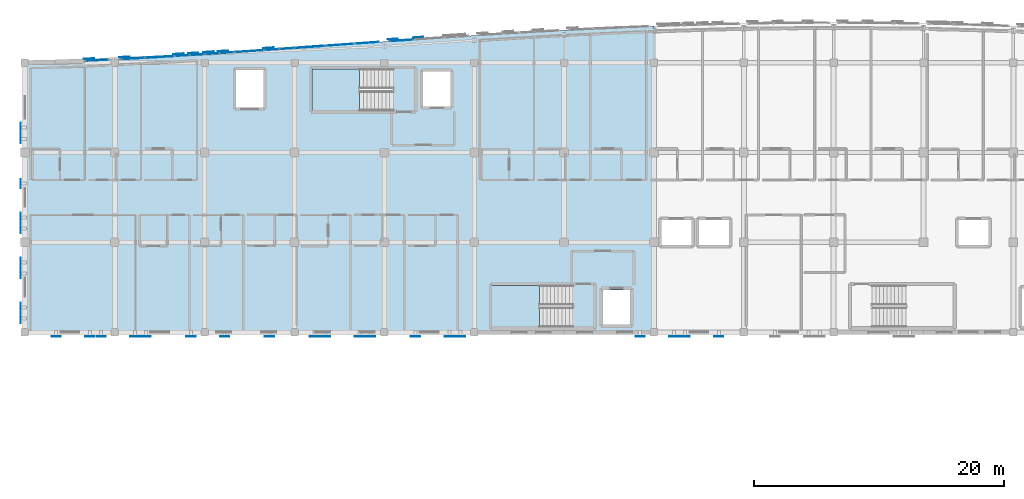
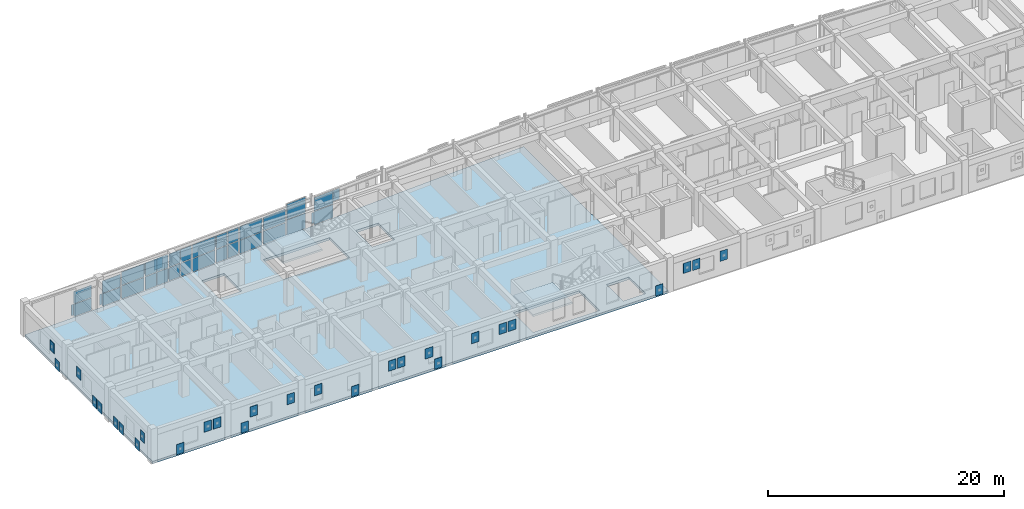
# One storey, part 32 of 50: 65 plates, 3 slabs, 13 elements without a shape of their own.
"""IFC4 building model written with IfcOpenShell, lengths in metres."""

from ifc_helpers import new_model, si_unit, direction, frame, origin, origin_2d, place, context, subcontext, project, spatial, polyline, rectangle, outline, extrude, material, layer, layer_set, type_object, element, aggregate, save


model = new_model("IFC4")

# Units and contexts
model_context = context("Model", 3, precision=1e-05, world=origin(), true_north=direction((0.0, 1.0)))
body_context = subcontext(model_context, "Body", "Model", "MODEL_VIEW")
ifc_project = project(units=[si_unit("LENGTHUNIT", "METRE"), si_unit("AREAUNIT", "SQUARE_METRE"), si_unit("VOLUMEUNIT", "CUBIC_METRE"), si_unit("PLANEANGLEUNIT", "RADIAN"), si_unit("MASSUNIT", "GRAM", prefix="KILO")], contexts=[model_context])

# Site, building, storey
site_placement = place(None, origin())
site = spatial("IfcSite", under=ifc_project, at=site_placement, CompositionType="ELEMENT")
building_placement = place(site_placement, origin())
building = spatial("IfcBuilding", under=site, at=building_placement, Name="Carrowvane Square Congress Hotel", CompositionType="ELEMENT")
storey_placement = place(building_placement, frame((0.0, 0.0, 22.800048828125)))
storey = spatial("IfcBuildingStorey", under=building, at=storey_placement, Name="L05", CompositionType="ELEMENT", Elevation=22.800048828125)

# Curtain wall, plates
ifc_material_1 = material(Name="Anodised aluminium", Category="aluminium")
ifc_layer_1 = layer(ifc_material_1, 0.23388671875)
ifc_layer_set_1 = layer_set([ifc_layer_1], Name="Anodised aluminium")
curtain_wall_type_1 = type_object("IfcCurtainWallType", Name="CW-SYS-7", PredefinedType="NOTDEFINED", material=ifc_layer_set_1)
curtain_wall_1_placement = place(storey_placement, origin())
curtain_wall_1 = element("IfcCurtainWall", 1, at=curtain_wall_1_placement, inside=storey, type_object=curtain_wall_type_1, Name="L05 unitised curtain wall 310", PredefinedType="NOTDEFINED")
ifc_material_2 = material(Name="Double-glazed low-E glass", Category="glass")
ifc_layer_2 = layer(ifc_material_2, 0.028076171875)
ifc_layer_set_2 = layer_set([ifc_layer_2], Name="Double-glazed low-E glass")
plate_type_1 = type_object("IfcPlateType", Name="CW-PAN-1", PredefinedType="CURTAIN_PANEL", material=ifc_layer_set_2)
plate_1_placement = place(storey_placement, frame((45.81494140625, 113.962158203125, 0.06005859375), z_axis=(0.0, 0.0, 1.0), x_axis=(0.997996225303, 0.063273487972, 0.0)))
plate_1 = element("IfcPlate", 2, at=plate_1_placement, type_object=plate_type_1, Name="CW-7 panel 1.1", PredefinedType="CURTAIN_PANEL", context=body_context, shape_type="SweptSolid", body=[
    extrude(rectangle(XDim=1.1123046875, YDim=0.028076171875, at=origin_2d()), origin(), (0.0, 0.0, 1.0), 1.372802734375),
])
plate_2_placement = place(storey_placement, frame((45.81494140625, 113.962158203125, 1.49267578125), z_axis=(0.0, 0.0, 1.0), x_axis=(0.997996225303, 0.063273487972, 0.0)))
plate_2 = element("IfcPlate", 3, at=plate_2_placement, type_object=plate_type_1, Name="CW-7 panel 1.2", PredefinedType="CURTAIN_PANEL", context=body_context, shape_type="SweptSolid", body=[
    extrude(rectangle(XDim=1.1123046875, YDim=0.028076171875, at=origin_2d()), origin(), (0.0, 0.0, 1.0), 1.372802734375),
])
plate_3_placement = place(storey_placement, frame((46.985107421875, 114.036376953125, 0.06005859375), z_axis=(0.0, 0.0, 1.0), x_axis=(0.997996225303, 0.063273487972, 0.0)))
plate_3 = element("IfcPlate", 4, at=plate_3_placement, type_object=plate_type_1, Name="CW-7 panel 2.1", PredefinedType="CURTAIN_PANEL", context=body_context, shape_type="SweptSolid", body=[
    extrude(rectangle(XDim=1.1123046875, YDim=0.028076171875, at=origin_2d()), origin(), (0.0, 0.0, 1.0), 1.372802734375),
])
plate_4_placement = place(storey_placement, frame((46.985107421875, 114.036376953125, 1.49267578125), z_axis=(0.0, 0.0, 1.0), x_axis=(0.997996225303, 0.063273487972, 0.0)))
plate_4 = element("IfcPlate", 5, at=plate_4_placement, type_object=plate_type_1, Name="CW-7 panel 2.2", PredefinedType="CURTAIN_PANEL", context=body_context, shape_type="SweptSolid", body=[
    extrude(rectangle(XDim=1.1123046875, YDim=0.028076171875, at=origin_2d()), origin(), (0.0, 0.0, 1.0), 1.372802734375),
])
aggregate(curtain_wall_1, [plate_1, plate_2, plate_3, plate_4])

ifc_material_3 = material(Name="Anodised aluminium", Category="aluminium")
ifc_layer_3 = layer(ifc_material_3, 0.197998046875)
ifc_layer_set_3 = layer_set([ifc_layer_3], Name="Anodised aluminium")
curtain_wall_type_2 = type_object("IfcCurtainWallType", Name="CW-SYS-4", PredefinedType="NOTDEFINED", material=ifc_layer_set_3)
curtain_wall_2_placement = place(storey_placement, origin())
curtain_wall_2 = element("IfcCurtainWall", 6, at=curtain_wall_2_placement, inside=storey, type_object=curtain_wall_type_2, Name="L05 unitised curtain wall 315", PredefinedType="NOTDEFINED")
plate_5_placement = place(storey_placement, frame((58.39990234375, 114.8291015625, 0.06982421875), z_axis=(0.0, 0.0, 1.0), x_axis=(0.997438322595, 0.071531759512, 0.0)))
plate_5 = element("IfcPlate", 7, at=plate_5_placement, type_object=plate_type_1, Name="CW-4 panel 1.1", PredefinedType="CURTAIN_PANEL", context=body_context, shape_type="SweptSolid", body=[
    extrude(rectangle(XDim=2.26611328125, YDim=0.028076171875, at=origin_2d()), origin(), (0.0, 0.0, 1.0), 1.35791015625),
])
plate_6_placement = place(storey_placement, frame((58.39990234375, 114.8291015625, 1.497802734375), z_axis=(0.0, 0.0, 1.0), x_axis=(0.997438322595, 0.071531759512, 0.0)))
plate_6 = element("IfcPlate", 8, at=plate_6_placement, type_object=plate_type_1, Name="CW-4 panel 1.2", PredefinedType="CURTAIN_PANEL", context=body_context, shape_type="SweptSolid", body=[
    extrude(rectangle(XDim=2.26611328125, YDim=0.028076171875, at=origin_2d()), origin(), (0.0, 0.0, 1.0), 1.35791015625),
])
aggregate(curtain_wall_2, [plate_5, plate_6])

ifc_material_4 = material(Name="Anodised aluminium", Category="aluminium")
ifc_layer_4 = layer(ifc_material_4, 0.24609375)
ifc_layer_set_4 = layer_set([ifc_layer_4], Name="Anodised aluminium")
curtain_wall_type_3 = type_object("IfcCurtainWallType", Name="CW-SYS-8", PredefinedType="NOTDEFINED", material=ifc_layer_set_4)
curtain_wall_3_placement = place(storey_placement, origin())
curtain_wall_3 = element("IfcCurtainWall", 9, at=curtain_wall_3_placement, inside=storey, type_object=curtain_wall_type_3, Name="L05 unitised curtain wall 311", PredefinedType="NOTDEFINED")
ifc_material_5 = material(Name="Double-glazed low-E glass", Category="glass")
ifc_layer_5 = layer(ifc_material_5, 0.031982421875)
ifc_layer_set_5 = layer_set([ifc_layer_5], Name="Double-glazed low-E glass")
plate_type_2 = type_object("IfcPlateType", Name="CW-PAN-2", PredefinedType="CURTAIN_PANEL", material=ifc_layer_set_5)
plate_7_placement = place(storey_placement, frame((48.217529296875, 114.116455078125, 0.06982421875), z_axis=(0.0, 0.0, 1.0), x_axis=(0.99778121937, 0.066578061501, 0.0)))
plate_7 = element("IfcPlate", 10, at=plate_7_placement, type_object=plate_type_2, Name="CW-8 panel 1.1", PredefinedType="CURTAIN_PANEL", context=body_context, shape_type="SweptSolid", body=[
    extrude(rectangle(XDim=1.09765625, YDim=0.031982421875, at=origin_2d()), origin(), (0.0, 0.0, 1.0), 1.35791015625),
])
plate_8_placement = place(storey_placement, frame((48.217529296875, 114.116455078125, 1.497802734375), z_axis=(0.0, 0.0, 1.0), x_axis=(0.99778121937, 0.066578061501, 0.0)))
plate_8 = element("IfcPlate", 11, at=plate_8_placement, type_object=plate_type_2, Name="CW-8 panel 1.2", PredefinedType="CURTAIN_PANEL", context=body_context, shape_type="SweptSolid", body=[
    extrude(rectangle(XDim=1.09765625, YDim=0.031982421875, at=origin_2d()), origin(), (0.0, 0.0, 1.0), 1.35791015625),
])
plate_9_placement = place(storey_placement, frame((49.382568359375, 114.1943359375, 0.06982421875), z_axis=(0.0, 0.0, 1.0), x_axis=(0.99778121937, 0.066578061501, 0.0)))
plate_9 = element("IfcPlate", 12, at=plate_9_placement, type_object=plate_type_2, Name="CW-8 panel 2.1", PredefinedType="CURTAIN_PANEL", context=body_context, shape_type="SweptSolid", body=[
    extrude(rectangle(XDim=1.09765625, YDim=0.031982421875, at=origin_2d()), origin(), (0.0, 0.0, 1.0), 1.35791015625),
])
plate_10_placement = place(storey_placement, frame((49.382568359375, 114.1943359375, 1.497802734375), z_axis=(0.0, 0.0, 1.0), x_axis=(0.99778121937, 0.066578061501, 0.0)))
plate_10 = element("IfcPlate", 13, at=plate_10_placement, type_object=plate_type_2, Name="CW-8 panel 2.2", PredefinedType="CURTAIN_PANEL", context=body_context, shape_type="SweptSolid", body=[
    extrude(rectangle(XDim=1.09765625, YDim=0.031982421875, at=origin_2d()), origin(), (0.0, 0.0, 1.0), 1.35791015625),
])
aggregate(curtain_wall_3, [plate_7, plate_8, plate_9, plate_10])

ifc_material_6 = material(Name="Anodised aluminium", Category="aluminium")
ifc_layer_6 = layer(ifc_material_6, 0.2099609375)
ifc_layer_set_6 = layer_set([ifc_layer_6], Name="Anodised aluminium")
curtain_wall_type_4 = type_object("IfcCurtainWallType", Name="CW-SYS-5", PredefinedType="NOTDEFINED", material=ifc_layer_set_6)
curtain_wall_4_placement = place(storey_placement, origin())
curtain_wall_4 = element("IfcCurtainWall", 14, at=curtain_wall_4_placement, inside=storey, type_object=curtain_wall_type_4, Name="L05 unitised curtain wall 316", PredefinedType="NOTDEFINED")
plate_11_placement = place(storey_placement, frame((60.5947265625, 114.986083984375, 0.06005859375), z_axis=(0.0, 0.0, 1.0), x_axis=(0.997479146426, 0.070960217342, 0.0)))
plate_11 = element("IfcPlate", 15, at=plate_11_placement, type_object=plate_type_2, Name="CW-5 panel 1.1", PredefinedType="CURTAIN_PANEL", context=body_context, shape_type="SweptSolid", body=[
    extrude(rectangle(XDim=1.87451171875, YDim=0.031982421875, at=origin_2d()), origin(), (0.0, 0.0, 1.0), 1.5849609375),
])
plate_12_placement = place(storey_placement, frame((60.5947265625, 114.986083984375, 1.705078125), z_axis=(0.0, 0.0, 1.0), x_axis=(0.997479146426, 0.070960217342, 0.0)))
plate_12 = element("IfcPlate", 16, at=plate_12_placement, type_object=plate_type_2, Name="CW-5 panel 1.2", PredefinedType="CURTAIN_PANEL", context=body_context, shape_type="SweptSolid", body=[
    extrude(rectangle(XDim=1.87451171875, YDim=0.031982421875, at=origin_2d()), origin(), (0.0, 0.0, 1.0), 1.5849609375),
])
aggregate(curtain_wall_4, [plate_11, plate_12])

curtain_wall_5_placement = place(storey_placement, origin())
curtain_wall_5 = element("IfcCurtainWall", 17, at=curtain_wall_5_placement, inside=storey, type_object=curtain_wall_type_2, Name="L05 unitised curtain wall 307", PredefinedType="NOTDEFINED")
ifc_material_7 = material(Name="Double-glazed low-E glass", Category="glass")
ifc_layer_7 = layer(ifc_material_7, 0.035888671875)
ifc_layer_set_7 = layer_set([ifc_layer_7], Name="Double-glazed low-E glass")
plate_type_3 = type_object("IfcPlateType", Name="CW-PAN-3", PredefinedType="CURTAIN_PANEL", material=ifc_layer_set_7)
plate_13_placement = place(storey_placement, frame((38.955810546875, 113.58544921875, 0.06982421875), z_axis=(0.0, 0.0, 1.0), x_axis=(0.998917263935, 0.046522035775, 0.0)))
plate_13 = element("IfcPlate", 18, at=plate_13_placement, type_object=plate_type_3, Name="CW-4 panel 1.1", PredefinedType="CURTAIN_PANEL", context=body_context, shape_type="SweptSolid", body=[
    extrude(rectangle(XDim=1.7734375, YDim=0.035888671875, at=origin_2d()), origin(), (0.0, 0.0, 1.0), 1.262451171875),
])
plate_14_placement = place(storey_placement, frame((38.955810546875, 113.58544921875, 1.40234375), z_axis=(0.0, 0.0, 1.0), x_axis=(0.998917263935, 0.046522035775, 0.0)))
plate_14 = element("IfcPlate", 19, at=plate_14_placement, type_object=plate_type_3, Name="CW-4 panel 1.2", PredefinedType="CURTAIN_PANEL", context=body_context, shape_type="SweptSolid", body=[
    extrude(rectangle(XDim=1.7734375, YDim=0.035888671875, at=origin_2d()), origin(), (0.0, 0.0, 1.0), 1.262451171875),
])
aggregate(curtain_wall_5, [plate_13, plate_14])

ifc_material_8 = material(Name="Anodised aluminium", Category="aluminium")
ifc_layer_8 = layer(ifc_material_8, 0.162109375)
ifc_layer_set_8 = layer_set([ifc_layer_8], Name="Anodised aluminium")
curtain_wall_type_5 = type_object("IfcCurtainWallType", Name="CW-SYS-1", PredefinedType="NOTDEFINED", material=ifc_layer_set_8)
curtain_wall_6_placement = place(storey_placement, origin())
curtain_wall_6 = element("IfcCurtainWall", 20, at=curtain_wall_6_placement, inside=storey, type_object=curtain_wall_type_5, Name="L05 unitised curtain wall 312", PredefinedType="NOTDEFINED")
plate_15_placement = place(storey_placement, frame((51.199951171875, 114.318359375, 0.06005859375), z_axis=(0.0, 0.0, 1.0), x_axis=(0.997617619706, 0.068986120725, 0.0)))
plate_15 = element("IfcPlate", 21, at=plate_15_placement, type_object=plate_type_3, Name="CW-1 panel 1.1", PredefinedType="CURTAIN_PANEL", context=body_context, shape_type="SweptSolid", body=[
    extrude(rectangle(XDim=2.28564453125, YDim=0.035888671875, at=origin_2d()), origin(), (0.0, 0.0, 1.0), 1.372802734375),
])
plate_16_placement = place(storey_placement, frame((51.199951171875, 114.318359375, 1.49267578125), z_axis=(0.0, 0.0, 1.0), x_axis=(0.997617619706, 0.068986120725, 0.0)))
plate_16 = element("IfcPlate", 22, at=plate_16_placement, type_object=plate_type_3, Name="CW-1 panel 1.2", PredefinedType="CURTAIN_PANEL", context=body_context, shape_type="SweptSolid", body=[
    extrude(rectangle(XDim=2.28564453125, YDim=0.035888671875, at=origin_2d()), origin(), (0.0, 0.0, 1.0), 1.372802734375),
])
aggregate(curtain_wall_6, [plate_15, plate_16])

ifc_material_9 = material(Name="Anodised aluminium", Category="aluminium")
ifc_layer_9 = layer(ifc_material_9, 0.221923828125)
ifc_layer_set_9 = layer_set([ifc_layer_9], Name="Anodised aluminium")
curtain_wall_type_6 = type_object("IfcCurtainWallType", Name="CW-SYS-6", PredefinedType="NOTDEFINED", material=ifc_layer_set_9)
curtain_wall_7_placement = place(storey_placement, origin())
curtain_wall_7 = element("IfcCurtainWall", 23, at=curtain_wall_7_placement, inside=storey, type_object=curtain_wall_type_6, Name="L05 unitised curtain wall 317", PredefinedType="NOTDEFINED")
plate_17_placement = place(storey_placement, frame((63.378662109375, 115.182373046875, 0.06982421875), z_axis=(0.0, 0.0, 1.0), x_axis=(0.997566332949, 0.069723822092, 0.0)))
plate_17 = element("IfcPlate", 24, at=plate_17_placement, type_object=plate_type_3, Name="CW-6 panel 1.1", PredefinedType="CURTAIN_PANEL", context=body_context, shape_type="SweptSolid", body=[
    extrude(rectangle(XDim=1.90771484375, YDim=0.035888671875, at=origin_2d()), origin(), (0.0, 0.0, 1.0), 1.35791015625),
])
plate_18_placement = place(storey_placement, frame((63.378662109375, 115.182373046875, 1.497802734375), z_axis=(0.0, 0.0, 1.0), x_axis=(0.997566332949, 0.069723822092, 0.0)))
plate_18 = element("IfcPlate", 25, at=plate_18_placement, type_object=plate_type_3, Name="CW-6 panel 1.2", PredefinedType="CURTAIN_PANEL", context=body_context, shape_type="SweptSolid", body=[
    extrude(rectangle(XDim=1.90771484375, YDim=0.035888671875, at=origin_2d()), origin(), (0.0, 0.0, 1.0), 1.35791015625),
])
aggregate(curtain_wall_7, [plate_17, plate_18])

curtain_wall_8_placement = place(storey_placement, origin())
curtain_wall_8 = element("IfcCurtainWall", 26, at=curtain_wall_8_placement, inside=storey, type_object=curtain_wall_type_4, Name="L05 unitised curtain wall 308", PredefinedType="NOTDEFINED")
ifc_material_10 = material(Name="Double-glazed low-E glass", Category="glass")
ifc_layer_10 = layer(ifc_material_10, 0.0419921875)
ifc_layer_set_10 = layer_set([ifc_layer_10], Name="Double-glazed low-E glass")
plate_type_4 = type_object("IfcPlateType", Name="CW-PAN-4", PredefinedType="CURTAIN_PANEL", material=ifc_layer_set_10)
plate_19_placement = place(storey_placement, frame((41.83154296875, 113.7294921875, 0.06005859375), z_axis=(0.0, 0.0, 1.0), x_axis=(0.998567109091, 0.053513817306, 0.0)))
plate_19 = element("IfcPlate", 27, at=plate_19_placement, type_object=plate_type_4, Name="CW-5 panel 1.1", PredefinedType="CURTAIN_PANEL", context=body_context, shape_type="SweptSolid", body=[
    extrude(rectangle(XDim=1.819580078125, YDim=0.0419921875, at=origin_2d()), origin(), (0.0, 0.0, 1.0), 1.277587890625),
])
plate_20_placement = place(storey_placement, frame((41.83154296875, 113.7294921875, 1.3974609375), z_axis=(0.0, 0.0, 1.0), x_axis=(0.998567109091, 0.053513817306, 0.0)))
plate_20 = element("IfcPlate", 28, at=plate_20_placement, type_object=plate_type_4, Name="CW-5 panel 1.2", PredefinedType="CURTAIN_PANEL", context=body_context, shape_type="SweptSolid", body=[
    extrude(rectangle(XDim=1.819580078125, YDim=0.0419921875, at=origin_2d()), origin(), (0.0, 0.0, 1.0), 1.277587890625),
])
aggregate(curtain_wall_8, [plate_19, plate_20])

ifc_material_11 = material(Name="Anodised aluminium", Category="aluminium")
ifc_layer_11 = layer(ifc_material_11, 0.174072265625)
ifc_layer_set_11 = layer_set([ifc_layer_11], Name="Anodised aluminium")
curtain_wall_type_7 = type_object("IfcCurtainWallType", Name="CW-SYS-2", PredefinedType="NOTDEFINED", material=ifc_layer_set_11)
curtain_wall_9_placement = place(storey_placement, origin())
curtain_wall_9 = element("IfcCurtainWall", 29, at=curtain_wall_9_placement, inside=storey, type_object=curtain_wall_type_7, Name="L05 unitised curtain wall 313", PredefinedType="NOTDEFINED")
plate_21_placement = place(storey_placement, frame((53.017578125, 114.445068359375, 0.06982421875), z_axis=(0.0, 0.0, 1.0), x_axis=(0.997505697746, 0.070585996942, 0.0)))
plate_21 = element("IfcPlate", 30, at=plate_21_placement, type_object=plate_type_4, Name="CW-2 panel 1.1", PredefinedType="CURTAIN_PANEL", context=body_context, shape_type="SweptSolid", body=[
    extrude(rectangle(XDim=1.097900390625, YDim=0.0419921875, at=origin_2d()), origin(), (0.0, 0.0, 1.0), 1.35791015625),
])
plate_22_placement = place(storey_placement, frame((53.017578125, 114.445068359375, 1.497802734375), z_axis=(0.0, 0.0, 1.0), x_axis=(0.997505697746, 0.070585996942, 0.0)))
plate_22 = element("IfcPlate", 31, at=plate_22_placement, type_object=plate_type_4, Name="CW-2 panel 1.2", PredefinedType="CURTAIN_PANEL", context=body_context, shape_type="SweptSolid", body=[
    extrude(rectangle(XDim=1.097900390625, YDim=0.0419921875, at=origin_2d()), origin(), (0.0, 0.0, 1.0), 1.35791015625),
])
plate_23_placement = place(storey_placement, frame((54.1826171875, 114.527587890625, 0.06982421875), z_axis=(0.0, 0.0, 1.0), x_axis=(0.997505697746, 0.070585996942, 0.0)))
plate_23 = element("IfcPlate", 32, at=plate_23_placement, type_object=plate_type_4, Name="CW-2 panel 2.1", PredefinedType="CURTAIN_PANEL", context=body_context, shape_type="SweptSolid", body=[
    extrude(rectangle(XDim=1.097900390625, YDim=0.0419921875, at=origin_2d()), origin(), (0.0, 0.0, 1.0), 1.35791015625),
])
plate_24_placement = place(storey_placement, frame((54.1826171875, 114.527587890625, 1.497802734375), z_axis=(0.0, 0.0, 1.0), x_axis=(0.997505697746, 0.070585996942, 0.0)))
plate_24 = element("IfcPlate", 33, at=plate_24_placement, type_object=plate_type_4, Name="CW-2 panel 2.2", PredefinedType="CURTAIN_PANEL", context=body_context, shape_type="SweptSolid", body=[
    extrude(rectangle(XDim=1.097900390625, YDim=0.0419921875, at=origin_2d()), origin(), (0.0, 0.0, 1.0), 1.35791015625),
])
aggregate(curtain_wall_9, [plate_21, plate_22, plate_23, plate_24])

curtain_wall_10_placement = place(storey_placement, origin())
curtain_wall_10 = element("IfcCurtainWall", 34, at=curtain_wall_10_placement, inside=storey, type_object=curtain_wall_type_6, Name="L05 unitised curtain wall 309", PredefinedType="NOTDEFINED")
ifc_material_12 = material(Name="Double-glazed low-E glass", Category="glass")
ifc_layer_12 = layer(ifc_material_12, 0.048095703125)
ifc_layer_set_12 = layer_set([ifc_layer_12], Name="Double-glazed low-E glass")
plate_type_5 = type_object("IfcPlateType", Name="CW-PAN-5", PredefinedType="CURTAIN_PANEL", material=ifc_layer_set_12)
plate_25_placement = place(storey_placement, frame((44.0, 113.852294921875, 0.06982421875), z_axis=(0.0, 0.0, 1.0), x_axis=(0.99825866099, 0.058988522254, 0.0)))
plate_25 = element("IfcPlate", 35, at=plate_25_placement, type_object=plate_type_5, Name="CW-6 panel 1.1", PredefinedType="CURTAIN_PANEL", context=body_context, shape_type="SweptSolid", body=[
    extrude(rectangle(XDim=2.26416015625, YDim=0.048095703125, at=origin_2d()), origin(), (0.0, 0.0, 1.0), 1.35791015625),
])
plate_26_placement = place(storey_placement, frame((44.0, 113.852294921875, 1.497802734375), z_axis=(0.0, 0.0, 1.0), x_axis=(0.99825866099, 0.058988522254, 0.0)))
plate_26 = element("IfcPlate", 36, at=plate_26_placement, type_object=plate_type_5, Name="CW-6 panel 1.2", PredefinedType="CURTAIN_PANEL", context=body_context, shape_type="SweptSolid", body=[
    extrude(rectangle(XDim=2.26416015625, YDim=0.048095703125, at=origin_2d()), origin(), (0.0, 0.0, 1.0), 1.35791015625),
])
aggregate(curtain_wall_10, [plate_25, plate_26])

ifc_material_13 = material(Name="Anodised aluminium", Category="aluminium")
ifc_layer_13 = layer(ifc_material_13, 0.18603515625)
ifc_layer_set_13 = layer_set([ifc_layer_13], Name="Anodised aluminium")
curtain_wall_type_8 = type_object("IfcCurtainWallType", Name="CW-SYS-3", PredefinedType="NOTDEFINED", material=ifc_layer_set_13)
curtain_wall_11_placement = place(storey_placement, origin())
curtain_wall_11 = element("IfcCurtainWall", 37, at=curtain_wall_11_placement, inside=storey, type_object=curtain_wall_type_8, Name="L05 unitised curtain wall 314", PredefinedType="NOTDEFINED")
plate_27_placement = place(storey_placement, frame((56.0, 114.6572265625, 0.06005859375), z_axis=(0.0, 0.0, 1.0), x_axis=(0.997446448898, 0.071418356042, 0.0)))
plate_27 = element("IfcPlate", 38, at=plate_27_placement, type_object=plate_type_5, Name="CW-3 panel 1.1", PredefinedType="CURTAIN_PANEL", context=body_context, shape_type="SweptSolid", body=[
    extrude(rectangle(XDim=2.2861328125, YDim=0.048095703125, at=origin_2d()), origin(), (0.0, 0.0, 1.0), 1.372802734375),
])
plate_28_placement = place(storey_placement, frame((56.0, 114.6572265625, 1.49267578125), z_axis=(0.0, 0.0, 1.0), x_axis=(0.997446448898, 0.071418356042, 0.0)))
plate_28 = element("IfcPlate", 39, at=plate_28_placement, type_object=plate_type_5, Name="CW-3 panel 1.2", PredefinedType="CURTAIN_PANEL", context=body_context, shape_type="SweptSolid", body=[
    extrude(rectangle(XDim=2.2861328125, YDim=0.048095703125, at=origin_2d()), origin(), (0.0, 0.0, 1.0), 1.372802734375),
])
aggregate(curtain_wall_11, [plate_27, plate_28])

# Plates
ifc_material_14 = material(Name="Champagne-gold anodised aluminium", Category="aluminium")
ifc_layer_14 = layer(ifc_material_14, 0.011962890625)
ifc_layer_set_14 = layer_set([ifc_layer_14], Name="Champagne-gold anodised aluminium")
plate_type_6 = type_object("IfcPlateType", Name="PLT-PIX-GOLD12", PredefinedType="SHEET", material=ifc_layer_set_14)
for number, where, z_axis, x_axis, name in (
    (40, (38.316650390625, 113.721923828125, 0.119873046875), (0.0, 0.0, 1.0), (0.99891730083, 0.046521243556, 0.0), "Champagne-gold pixel screen plate 397"),
    (41, (47.9130859375, 114.2626953125, 0.119873046875), (0.0, 0.0, 1.0), (0.997781458784, 0.066574473385, 0.0), "Champagne-gold pixel screen plate 401"),
    (42, (49.078125, 114.34033203125, 1.58984375), (0.0, 0.0, 1.0), (0.997781458784, 0.066574473385, 0.0), "Champagne-gold pixel screen plate 402"),
    (43, (52.712158203125, 114.58984375, 1.58984375), (0.0, 0.0, 1.0), (0.997505756275, 0.070585169822, 0.0), "Champagne-gold pixel screen plate 403"),
    (44, (62.669677734375, 115.299072265625, 0.119873046875), (0.0, 0.0, 1.0), (0.997566258056, 0.069724893606, 0.0), "Champagne-gold pixel screen plate 404"),
):
    element("IfcPlate", number, at=place(storey_placement, frame(where, z_axis=z_axis, x_axis=x_axis)), inside=storey, type_object=plate_type_6, Name=name, PredefinedType="SHEET", context=body_context, shape_type="SweptSolid", body=[
        extrude(rectangle(XDim=0.827880859375, YDim=0.011962890625, at=origin_2d()), origin(), (0.0, 0.0, 1.0), 1.1201171875),
    ])
for number, where, z_axis, x_axis, name in (
    (45, (82.5, 91.4541015625, 0.15478515625), (0.0, 0.0, 1.0), (-1.0, 0.0, 0.0), "Champagne-gold pixel screen plate S-489"),
    (46, (68.10009765625, 91.4541015625, 1.52490234375), (0.0, 0.0, 1.0), (-1.0, 0.0, 0.0), "Champagne-gold pixel screen plate S-490"),
    (47, (67.199951171875, 91.4541015625, 1.52490234375), (0.0, 0.0, 1.0), (-1.0, 0.0, 0.0), "Champagne-gold pixel screen plate S-491"),
    (48, (64.5, 91.4541015625, 1.52490234375), (0.0, 0.0, 1.0), (-1.0, 0.0, 0.0), "Champagne-gold pixel screen plate S-492"),
    (49, (52.800048828125, 91.4541015625, 0.15478515625), (0.0, 0.0, 1.0), (-1.0, 0.0, 0.0), "Champagne-gold pixel screen plate S-497"),
    (50, (49.199951171875, 91.4541015625, 1.52490234375), (0.0, 0.0, 1.0), (-1.0, 0.0, 0.0), "Champagne-gold pixel screen plate S-498"),
    (51, (39.300048828125, 91.4541015625, 1.52490234375), (0.0, 0.0, 1.0), (-1.0, 0.0, 0.0), "Champagne-gold pixel screen plate S-502"),
    (52, (38.39990234375, 91.4541015625, 1.52490234375), (0.0, 0.0, 1.0), (-1.0, 0.0, 0.0), "Champagne-gold pixel screen plate S-503"),
    (53, (35.699951171875, 91.4541015625, 0.15478515625), (0.0, 0.0, 1.0), (-1.0, 0.0, 0.0), "Champagne-gold pixel screen plate S-504"),
    (54, (32.85400390625, 100.10009765625, 0.15478515625), (0.0, 0.0, 1.0), (0.0, 1.0, 0.0), "Champagne-gold pixel screen plate S-509"),
    (55, (32.85400390625, 101.0, 0.15478515625), (0.0, 0.0, 1.0), (0.0, 1.0, 0.0), "Champagne-gold pixel screen plate S-510"),
    (56, (32.85400390625, 103.699951171875, 1.509765625), (0.0, 0.0, 1.0), (0.0, 1.0, 0.0), "Champagne-gold pixel screen plate S-511"),
):
    element("IfcPlate", number, at=place(storey_placement, frame(where, z_axis=z_axis, x_axis=x_axis)), inside=storey, type_object=plate_type_6, Name=name, PredefinedType="SHEET", context=body_context, shape_type="SweptSolid", body=[
        extrude(rectangle(XDim=0.738037109375, YDim=0.011962890625, at=origin_2d()), origin(), (0.0, 0.0, 1.0), 1.050048828125),
    ])
ifc_material_15 = material(Name="Champagne-gold anodised aluminium", Category="aluminium")
ifc_layer_15 = layer(ifc_material_15, 0.008056640625)
ifc_layer_set_15 = layer_set([ifc_layer_15], Name="Champagne-gold anodised aluminium")
plate_type_7 = type_object("IfcPlateType", Name="PLT-PIX-GOLD8", PredefinedType="SHEET", material=ifc_layer_set_15)
for number, where, z_axis, x_axis, name in (
    (57, (41.173828125, 113.8583984375, 0.119873046875), (0.0, 0.0, 1.0), (0.998566941363, 0.053516947007, 0.0), "Champagne-gold pixel screen plate 398"),
    (58, (45.5087890625, 114.107177734375, 1.58984375), (0.0, 0.0, 1.0), (0.997996022269, 0.063276690295, 0.0), "Champagne-gold pixel screen plate 399"),
    (59, (46.6787109375, 114.18115234375, 1.58984375), (0.0, 0.0, 1.0), (0.997996022269, 0.063276690295, 0.0), "Champagne-gold pixel screen plate 400"),
    (60, (64.7080078125, 115.43896484375, 1.58984375), (0.0, 0.0, 1.0), (0.9976944394, 0.067866085713, 0.0), "Champagne-gold pixel screen plate 405"),
):
    element("IfcPlate", number, at=place(storey_placement, frame(where, z_axis=z_axis, x_axis=x_axis)), inside=storey, type_object=plate_type_7, Name=name, PredefinedType="SHEET", context=body_context, shape_type="SweptSolid", body=[
        extrude(rectangle(XDim=0.827880859375, YDim=0.008056640625, at=origin_2d()), origin(), (0.0, 0.0, 1.0), 1.1201171875),
    ])
for number, where, z_axis, x_axis, name in (
    (61, (88.800048828125, 91.4560546875, 1.52490234375), (0.0, 0.0, 1.0), (-1.0, 0.0, 0.0), "Champagne-gold pixel screen plate S-486"),
    (62, (86.10009765625, 91.4560546875, 1.52490234375), (0.0, 0.0, 1.0), (-1.0, 0.0, 0.0), "Champagne-gold pixel screen plate S-487"),
    (63, (85.199951171875, 91.4560546875, 1.52490234375), (0.0, 0.0, 1.0), (-1.0, 0.0, 0.0), "Champagne-gold pixel screen plate S-488"),
    (64, (60.89990234375, 91.4560546875, 0.15478515625), (0.0, 0.0, 1.0), (-1.0, 0.0, 0.0), "Champagne-gold pixel screen plate S-493"),
    (65, (60.0, 91.4560546875, 1.52490234375), (0.0, 0.0, 1.0), (-1.0, 0.0, 0.0), "Champagne-gold pixel screen plate S-494"),
    (66, (57.300048828125, 91.4560546875, 1.52490234375), (0.0, 0.0, 1.0), (-1.0, 0.0, 0.0), "Champagne-gold pixel screen plate S-495"),
    (67, (56.39990234375, 91.4560546875, 1.52490234375), (0.0, 0.0, 1.0), (-1.0, 0.0, 0.0), "Champagne-gold pixel screen plate S-496"),
    (68, (46.5, 91.4560546875, 1.52490234375), (0.0, 0.0, 1.0), (-1.0, 0.0, 0.0), "Champagne-gold pixel screen plate S-499"),
    (69, (42.89990234375, 91.4560546875, 1.52490234375), (0.0, 0.0, 1.0), (-1.0, 0.0, 0.0), "Champagne-gold pixel screen plate S-500"),
    (70, (42.0, 91.4560546875, 0.15478515625), (0.0, 0.0, 1.0), (-1.0, 0.0, 0.0), "Champagne-gold pixel screen plate S-501"),
    (71, (32.85595703125, 92.89990234375, 1.509765625), (0.0, 0.0, 1.0), (0.0, 1.0, 0.0), "Champagne-gold pixel screen plate S-505"),
    (72, (32.85595703125, 93.800048828125, 0.15478515625), (0.0, 0.0, 1.0), (0.0, 1.0, 0.0), "Champagne-gold pixel screen plate S-506"),
    (73, (32.85595703125, 96.5, 0.15478515625), (0.0, 0.0, 1.0), (0.0, 1.0, 0.0), "Champagne-gold pixel screen plate S-507"),
    (74, (32.85595703125, 97.39990234375, 0.15478515625), (0.0, 0.0, 1.0), (0.0, 1.0, 0.0), "Champagne-gold pixel screen plate S-508"),
    (75, (32.85595703125, 107.300048828125, 0.15478515625), (0.0, 0.0, 1.0), (0.0, 1.0, 0.0), "Champagne-gold pixel screen plate S-512"),
    (76, (32.85595703125, 108.199951171875, 1.509765625), (0.0, 0.0, 1.0), (0.0, 1.0, 0.0), "Champagne-gold pixel screen plate S-513"),
):
    element("IfcPlate", number, at=place(storey_placement, frame(where, z_axis=z_axis, x_axis=x_axis)), inside=storey, type_object=plate_type_7, Name=name, PredefinedType="SHEET", context=body_context, shape_type="SweptSolid", body=[
        extrude(rectangle(XDim=0.738037109375, YDim=0.008056640625, at=origin_2d()), origin(), (0.0, 0.0, 1.0), 1.050048828125),
    ])

# Slab
ifc_material_16 = material(Name="Concrete C35/45", Category="concrete")
ifc_layer_16 = layer(ifc_material_16, 0.25)
ifc_layer_set_16 = layer_set([ifc_layer_16], Name="Concrete C35/45")
slab_type_1 = type_object("IfcSlabType", Name="SLB-FLR-250", PredefinedType="FLOOR", material=ifc_layer_set_16)
slab_1_placement = place(storey_placement, frame((0.0, 0.0, -0.25)))
element("IfcSlab", 77, at=slab_1_placement, inside=storey, type_object=slab_type_1, Name="L05 Hotel Wing slab panel 1", PredefinedType="FLOOR", context=body_context, shape_type="SweptSolid", body=[
    extrude(outline(polyline([(33.199951171875, 91.800048828125), (83.60009765625, 91.800048828125), (83.60009765625, 116.323974609375), (81.199951171875, 116.2275390625), (78.800048828125, 116.118408203125), (76.39990234375, 115.99755859375), (74.0, 115.86572265625), (71.60009765625, 115.724365234375), (69.199951171875, 115.57421875), (66.800048828125, 115.4169921875), (64.39990234375, 115.253662109375), (62.0, 115.0859375), (59.60009765625, 114.915283203125), (57.199951171875, 114.7431640625), (54.800048828125, 114.5712890625), (52.39990234375, 114.4013671875), (50.0, 114.235595703125), (47.60009765625, 114.075439453125), (45.199951171875, 113.923095703125), (42.800048828125, 113.78125), (40.39990234375, 113.65283203125), (38.0, 113.541015625), (35.60009765625, 113.45166015625), (33.199951171875, 113.39990234375), (33.199951171875, 91.800048828125)]), holes=[polyline([(62.679931640625, 112.89990234375), (56.199951171875, 112.89990234375), (56.199951171875, 109.5400390625), (62.679931640625, 109.5400390625), (62.679931640625, 112.89990234375)]), polyline([(77.080078125, 95.56005859375), (70.60009765625, 95.56005859375), (70.60009765625, 92.199951171875), (77.080078125, 92.199951171875), (77.080078125, 95.56005859375)]), polyline([(65.10009765625, 109.89990234375), (67.300048828125, 109.89990234375), (67.300048828125, 112.699951171875), (65.10009765625, 112.699951171875), (65.10009765625, 109.89990234375)]), polyline([(79.5, 92.39990234375), (81.699951171875, 92.39990234375), (81.699951171875, 95.199951171875), (79.5, 95.199951171875), (79.5, 92.39990234375)]), polyline([(50.10009765625, 109.800048828125), (52.300048828125, 109.800048828125), (52.300048828125, 112.800048828125), (50.10009765625, 112.800048828125), (50.10009765625, 109.800048828125)])]), origin(), (0.0, 0.0, 1.0), 0.25),
])

# Stair, slab
ifc_material_17 = material(Name="Concrete C35/45", Category="concrete")
stair_type = type_object("IfcStairType", Name="STR-DOG-02", PredefinedType="HALF_TURN_STAIR", material=ifc_material_17)
stair_1_placement = place(storey_placement, origin())
stair_1 = element("IfcStair", 78, at=stair_1_placement, inside=storey, type_object=stair_type, Name="L05 Core C1 West Hotel Firefighting Stair", PredefinedType="HALF_TURN_STAIR")
ifc_material_18 = material(Name="Concrete C35/45", Category="concrete")
ifc_layer_17 = layer(ifc_material_18, 0.199951171875)
ifc_layer_set_17 = layer_set([ifc_layer_17], Name="Concrete C35/45")
slab_type_2 = type_object("IfcSlabType", Name="SLB-LND-200", PredefinedType="LANDING", material=ifc_layer_set_17)
slab_2_placement = place(storey_placement, frame((0.0, 0.0, 1.599853515625)))
slab_2 = element("IfcSlab", 79, at=slab_2_placement, type_object=slab_type_2, Name="ST1 landing 1", PredefinedType="LANDING", context=body_context, shape_type="SweptSolid", body=[
    extrude(outline(polyline([(60.02001953125, 112.89990234375), (56.199951171875, 112.89990234375), (56.199951171875, 109.5400390625), (60.02001953125, 109.5400390625), (60.02001953125, 112.89990234375)])), origin(), (0.0, 0.0, 1.0), 0.2001953125),
])
aggregate(stair_1, [slab_2])

stair_2_placement = place(storey_placement, origin())
stair_2 = element("IfcStair", 80, at=stair_2_placement, inside=storey, type_object=stair_type, Name="L05 Core C2 Central Hotel Firefighting Stair", PredefinedType="HALF_TURN_STAIR")
slab_3_placement = place(storey_placement, frame((0.0, 0.0, 1.599853515625)))
slab_3 = element("IfcSlab", 81, at=slab_3_placement, type_object=slab_type_2, Name="ST2 landing 1", PredefinedType="LANDING", context=body_context, shape_type="SweptSolid", body=[
    extrude(outline(polyline([(74.419921875, 95.56005859375), (70.60009765625, 95.56005859375), (70.60009765625, 92.199951171875), (74.419921875, 92.199951171875), (74.419921875, 95.56005859375)])), origin(), (0.0, 0.0, 1.0), 0.2001953125),
])
aggregate(stair_2, [slab_3])

save(model, "model.ifc")
